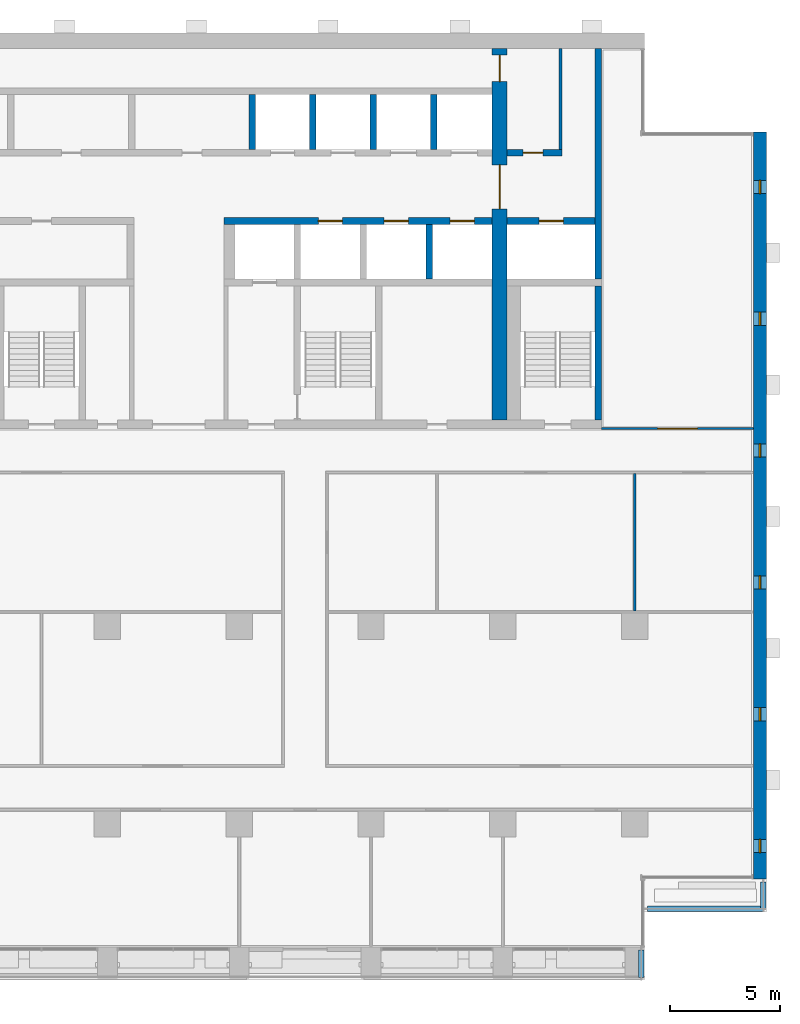
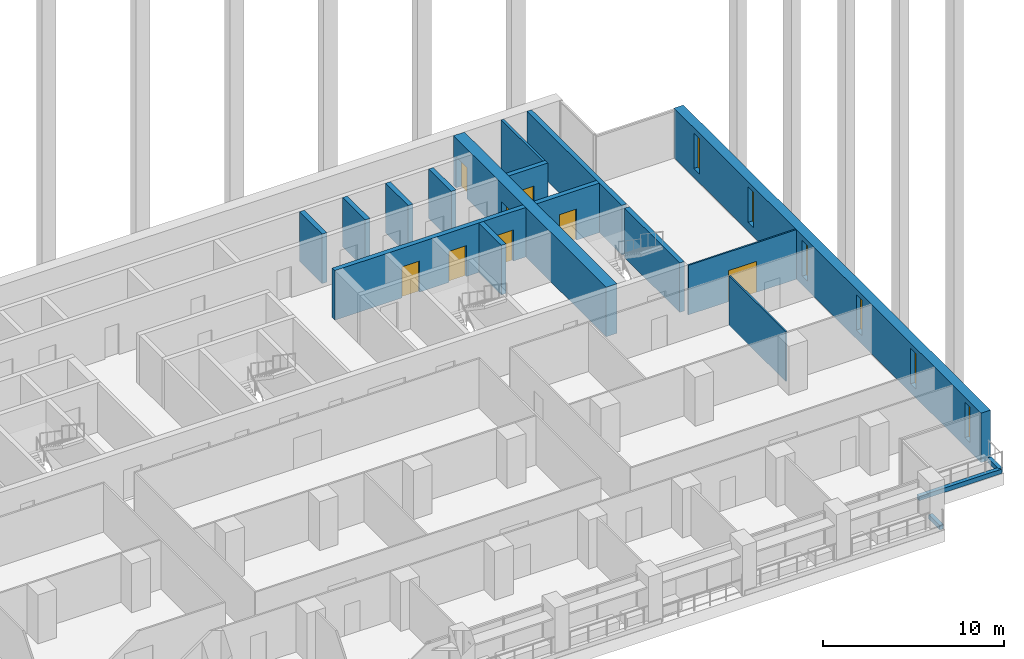
# One storey, part 12 of 19: 18 walls, 8 doors, 6 windows, 14 openings.
"""IFC4 building model written with IfcOpenShell, lengths in metres."""

import ifcopenshell
import ifcopenshell.guid

model = None  # the IFC model being written
_history = None  # IfcOwnerHistory: only IFC2X3 demands one
_inside = {}  # id of a spatial element -> (the spatial element, [elements in it])
_under = {}  # id of a project, library or spatial element -> (it, [spatial elements below it])
_declared = {}  # id of a project -> (the project, [libraries it declares])
_typed = {}  # id of a type object -> (the type object, [elements of that type])
_made_of = {}  # id of a material, layer set ... -> (it, [elements and type objects made of it])


def new_model(schema):
    """Start an empty IFC model of exactly this schema.

    Asked for "IFC4X3", IfcOpenShell would pick the latest addendum, in which some entities
    have other attributes; the version numbers below select the first issue.
    IFC2X3 requires an IfcOwnerHistory on every rooted entity: one is made here for all.
    """
    global model, _history
    if schema == "IFC4X3":
        model = ifcopenshell.file(schema_version=(4, 3, 0, 0))
    else:
        model = ifcopenshell.file(schema=schema)
    _inside.clear()
    _under.clear()
    _declared.clear()
    _typed.clear()
    _made_of.clear()
    _history = None
    if model.schema == "IFC2X3":
        org = make("IfcOrganization", Name="unknown")
        user = make(
            "IfcPersonAndOrganization",
            ThePerson=make("IfcPerson", FamilyName="unknown"),
            TheOrganization=org,
        )
        app = make(
            "IfcApplication",
            ApplicationDeveloper=org,
            Version="unknown",
            ApplicationFullName="unknown",
            ApplicationIdentifier="unknown",
        )
        _history = make(
            "IfcOwnerHistory",
            OwningUser=user,
            OwningApplication=app,
            ChangeAction="ADDED",
            CreationDate=0,
        )
    return model


def make(cls, **values):
    """One entity of the class cls with the attributes given. An attribute that is None is left unset."""
    return model.create_entity(
        cls, **{name: value for name, value in values.items() if value is not None}
    )


def rooted(cls, **values):
    """An entity with a GlobalId (a new one), such as an element, a storey or a relation."""
    return make(cls, GlobalId=ifcopenshell.guid.new(), OwnerHistory=_history, **values)


def si_unit(unit_type, name, prefix=None):
    """IfcSIUnit, for example si_unit("LENGTHUNIT", "METRE", prefix="MILLI")."""
    return make("IfcSIUnit", UnitType=unit_type, Prefix=prefix, Name=name)


def assignment(units):
    """IfcUnitAssignment: the units of a project."""
    return None if units is None else make("IfcUnitAssignment", Units=units)


def point(xyz):
    """IfcCartesianPoint."""
    return None if xyz is None else make("IfcCartesianPoint", Coordinates=xyz)


def direction(xyz):
    """IfcDirection."""
    return None if xyz is None else make("IfcDirection", DirectionRatios=xyz)


def frame(location, z_axis=None, x_axis=None):
    """IfcAxis2Placement3D, a coordinate frame: its origin and axes. An axis left out is left unset."""
    return make(
        "IfcAxis2Placement3D",
        Location=point(location),
        Axis=direction(z_axis),
        RefDirection=direction(x_axis),
    )


def frame_2d(location, x_axis=None):
    """IfcAxis2Placement2D, a coordinate frame in the plane: its origin and x axis."""
    return make(
        "IfcAxis2Placement2D", Location=point(location), RefDirection=direction(x_axis)
    )


def origin():
    """The frame at (0, 0, 0) with its axes left unset."""
    return frame((0.0, 0.0, 0.0))


def place(relative_to, where):
    """IfcLocalPlacement: puts the frame where relative to a parent placement (None: the world)."""
    return make(
        "IfcLocalPlacement", PlacementRelTo=relative_to, RelativePlacement=where
    )


def context(
    kind, dimensions, precision=None, world=None, true_north=None, identifier=None
):
    """IfcGeometricRepresentationContext, for example the 3D "Model" context."""
    return make(
        "IfcGeometricRepresentationContext",
        ContextIdentifier=identifier,
        ContextType=kind,
        CoordinateSpaceDimension=dimensions,
        Precision=precision,
        WorldCoordinateSystem=world,
        TrueNorth=true_north,
    )


def subcontext(parent, identifier, kind, view, scale=None):
    """IfcGeometricRepresentationSubContext, for example "Body" below "Model"."""
    return make(
        "IfcGeometricRepresentationSubContext",
        ContextIdentifier=identifier,
        ContextType=kind,
        ParentContext=parent,
        TargetScale=scale,
        TargetView=view,
    )


def project(units=None, contexts=None):
    """IfcProject with its units and contexts."""
    return rooted(
        "IfcProject",
        Name="project",
        RepresentationContexts=contexts,
        UnitsInContext=assignment(units),
    )


def spatial(cls, under=None, at=None, **own):
    """A site, building, storey or space (cls), placed at a placement, below another one or the project."""
    s = rooted(cls, ObjectPlacement=at, **own)
    if under is not None:
        _under.setdefault(under.id(), (under, []))[1].append(s)
    return s


def profile(cls, at=None, kind="AREA", **sizes):
    """A parametric profile (cls). Its sizes go by their IFC names, for example OverallWidth=200.0."""
    return make(cls, ProfileType=kind, Position=at, **sizes)


def rectangle(**sizes):
    """IfcRectangleProfileDef."""
    return profile("IfcRectangleProfileDef", **sizes)


def extrude(swept, where, along, depth):
    """IfcExtrudedAreaSolid: the profile swept, set in the frame where, extruded along a direction by depth."""
    return make(
        "IfcExtrudedAreaSolid",
        SweptArea=swept,
        Position=where,
        ExtrudedDirection=direction(along),
        Depth=depth,
    )


def shape(context_of_items, identifier, shape_type, items):
    """IfcShapeRepresentation: the items that make up one representation, for example the "Body"."""
    return make(
        "IfcShapeRepresentation",
        ContextOfItems=context_of_items,
        RepresentationIdentifier=identifier,
        RepresentationType=shape_type,
        Items=items,
    )


def material(Name=None, Category=None):
    """IfcMaterial."""
    return make("IfcMaterial", Name=Name, Category=Category)


def layer(
    of_material, thickness, ventilated=None, Name=None, Category=None, Priority=None
):
    """IfcMaterialLayer: one layer of a wall or slab, of a material (None: an air gap)."""
    return make(
        "IfcMaterialLayer",
        Material=of_material,
        LayerThickness=thickness,
        IsVentilated=ventilated,
        Name=Name,
        Category=Category,
        Priority=Priority,
    )


def layer_set(layers, Name=None):
    """IfcMaterialLayerSet."""
    return make("IfcMaterialLayerSet", MaterialLayers=layers, LayerSetName=Name)


def made_of(thing, what):
    """Note that an element or type object is made of a material, layer set ...; save() writes the relation."""
    if what is not None:
        _made_of.setdefault(what.id(), (what, []))[1].append(thing)
    return thing


def type_object(cls, material=None, **own):
    """A type object (cls), such as IfcWallType, which elements share."""
    return made_of(rooted(cls, **own), material)


def element(
    cls,
    number,
    at=None,
    inside=None,
    cuts=None,
    type_object=None,
    material=None,
    context=None,
    identifier="Body",
    shape_type=None,
    held_by="IfcProductDefinitionShape",
    body=None,
    shapes=None,
    **own,
):
    """One element of the class cls, such as IfcWall. Its Tag is "e" and its number.

    at: its placement. inside: the storey or other place that contains it. cuts: it is an
    opening in that element (IfcRelVoidsElement). A single representation is given by context,
    identifier, shape_type and body (its items); several are given by shapes. held_by: the class
    of the entity that holds the representations. save() writes the other relations.
    """
    e = rooted(cls, Tag="e%d" % number, ObjectPlacement=at, **own)
    if body is not None:
        shapes = [shape(context, identifier, shape_type, body)]
    if shapes is not None:
        e.Representation = make(held_by, Representations=shapes)
    if inside is not None:
        _inside.setdefault(inside.id(), (inside, []))[1].append(e)
    if cuts is not None:
        rooted(
            "IfcRelVoidsElement", RelatingBuildingElement=cuts, RelatedOpeningElement=e
        )
    if type_object is not None:
        _typed.setdefault(type_object.id(), (type_object, []))[1].append(e)
    return made_of(e, material)


def fill(opening, filler):
    """IfcRelFillsElement: the door or window that sits in an opening."""
    return rooted(
        "IfcRelFillsElement",
        RelatingOpeningElement=opening,
        RelatedBuildingElement=filler,
    )


def aggregate(whole, parts):
    """IfcRelAggregates: a whole, such as a stair, and the parts it consists of."""
    return rooted("IfcRelAggregates", RelatingObject=whole, RelatedObjects=parts)


def save(model, path):
    """Write the relations noted so far, then the file.

    IfcRelAggregates (storeys below a building ...), IfcRelContainedInSpatialStructure (elements
    in a storey), IfcRelDefinesByType, IfcRelAssociatesMaterial and IfcRelDeclares: one each for
    every whole, place, type object, material and project.
    """
    for whole, parts in _under.values():
        aggregate(whole, parts)
    for where, things in _inside.values():
        rooted(
            "IfcRelContainedInSpatialStructure",
            RelatedElements=things,
            RelatingStructure=where,
        )
    for kind, things in _typed.values():
        rooted("IfcRelDefinesByType", RelatedObjects=things, RelatingType=kind)
    for what, things in _made_of.values():
        rooted("IfcRelAssociatesMaterial", RelatedObjects=things, RelatingMaterial=what)
    for by, libraries in _declared.values():
        rooted("IfcRelDeclares", RelatingContext=by, RelatedDefinitions=libraries)
    model.write(path)


model = new_model("IFC4")

# Units and contexts
model_context = context("Model", 3, precision=1e-05, world=origin(), true_north=direction((0.0, 1.0)))
body_context = subcontext(model_context, "Body", "Model", "MODEL_VIEW")
ifc_project = project(units=[si_unit("LENGTHUNIT", "METRE"), si_unit("AREAUNIT", "SQUARE_METRE"), si_unit("VOLUMEUNIT", "CUBIC_METRE"), si_unit("PLANEANGLEUNIT", "RADIAN"), si_unit("MASSUNIT", "GRAM", prefix="KILO")], contexts=[model_context])

# Site, building, storey
site_placement = place(None, origin())
site = spatial("IfcSite", under=ifc_project, at=site_placement, CompositionType="ELEMENT")
building_placement = place(site_placement, origin())
building = spatial("IfcBuilding", under=site, at=building_placement, Name="Calvaro Tower", CompositionType="ELEMENT")
storey_placement = place(building_placement, frame((0.0, 0.0, 166.75)))
storey = spatial("IfcBuildingStorey", under=building, at=storey_placement, Name="L41", CompositionType="ELEMENT", Elevation=166.75)

# Wall
ifc_material_1 = material(Name="Blockwork partition", Category="masonry")
ifc_layer_1 = layer(ifc_material_1, 0.14990234375)
ifc_layer_set_1 = layer_set([ifc_layer_1], Name="Blockwork partition")
wall_type_1 = type_object("IfcWallType", Name="Core partition 150 REI 120", PredefinedType="PARTITIONING", material=ifc_layer_set_1)
wall_1_placement = place(storey_placement, frame((62.625, 40.699951171875, 0.0), z_axis=(0.0, 0.0, 1.0), x_axis=(0.0, 1.0, 0.0)))
element("IfcWall", 1, at=wall_1_placement, inside=storey, type_object=wall_type_1, Name="Core partition", PredefinedType="PARTITIONING", context=body_context, shape_type="SweptSolid", body=[
    extrude(rectangle(XDim=4.60009765625, YDim=0.14990234375, at=frame_2d((2.300048828125, 0.0))), origin(), (0.0, 0.0, 1.0), 3.35009765625),
])

# Wall, opening, door
ifc_material_2 = material(Name="Blockwork partition", Category="masonry")
ifc_layer_2 = layer(ifc_material_2, 0.300048828125)
ifc_layer_set_2 = layer_set([ifc_layer_2], Name="Blockwork partition")
wall_type_2 = type_object("IfcWallType", Name="Core partition 300 REI 120", PredefinedType="PARTITIONING", material=ifc_layer_set_2)
wall_2_placement = place(storey_placement, frame((60.199951171875, 40.550048828125, 0.0), z_axis=(0.0, 0.0, 1.0), x_axis=(1.0, 0.0, 0.0)))
wall_2 = element("IfcWall", 2, at=wall_2_placement, inside=storey, type_object=wall_type_2, Name="Core partition", PredefinedType="PARTITIONING", context=body_context, shape_type="SweptSolid", body=[
    extrude(rectangle(XDim=2.5, YDim=0.300048828125, at=frame_2d((1.25, 0.0))), origin(), (0.0, 0.0, 1.0), 3.35009765625),
])
opening_1_placement = place(wall_2_placement, frame((0.72509765625, 0.0, 0.0)))
opening_1 = element("IfcOpeningElement", 3, at=opening_1_placement, cuts=wall_2, Name="Opening RD9C", PredefinedType="OPENING", context=body_context, shape_type="SweptSolid", body=[
    extrude(rectangle(XDim=0.89990234375, YDim=2.10009765625, at=frame_2d((0.449951171875, 1.050048828125))), frame((0.0, 0.159912109375, 0.0), z_axis=(0.0, -1.0, 0.0), x_axis=(1.0, 0.0, 0.0)), (0.0, 0.0, 1.0), 0.320068359375),
])
ifc_material_3 = material(Name="Steel door set", Category="steel")
door_type_1 = type_object("IfcDoorType", Name="Room door 900 FD30", OperationType="SINGLE_SWING_LEFT", PredefinedType="DOOR", material=ifc_material_3)
door_1_placement = place(opening_1_placement, origin())
door_1 = element("IfcDoor", 4, at=door_1_placement, inside=storey, type_object=door_type_1, Name="Room door", OperationType="SINGLE_SWING_LEFT", OverallHeight=2.10009765625, OverallWidth=0.89990234375, PredefinedType="DOOR", context=body_context, shape_type="SweptSolid", body=[
    extrude(rectangle(XDim=0.89990234375, YDim=2.10009765625, at=frame_2d((0.449951171875, 1.050048828125))), frame((0.0, 0.02490234375, 0.0), z_axis=(0.0, -1.0, 0.0), x_axis=(1.0, 0.0, 0.0)), (0.0, 0.0, 1.0), 0.050048828125),
])
fill(opening_1, door_1)

# Walls
ifc_material_4 = material(Name="Concrete C50/60", Category="concrete")
ifc_layer_3 = layer(ifc_material_4, 0.300048828125)
ifc_layer_set_3 = layer_set([ifc_layer_3], Name="Concrete C50/60")
wall_type_3 = type_object("IfcWallType", Name="Core wall C50/60 300", PredefinedType="SHEAR", material=ifc_layer_set_3)
wall_3_placement = place(storey_placement, frame((64.35009765625, 34.800048828125, 0.0), z_axis=(0.0, 0.0, 1.0), x_axis=(0.0, 1.0, 0.0)))
element("IfcWall", 5, at=wall_3_placement, inside=storey, type_object=wall_type_3, Name="Core wall, boundary", PredefinedType="SHEAR", context=body_context, shape_type="SweptSolid", body=[
    extrude(rectangle(XDim=10.5, YDim=0.300048828125, at=frame_2d((5.25, 0.0))), origin(), (0.0, 0.0, 1.0), 3.35009765625),
])
wall_4_placement = place(storey_placement, frame((64.35009765625, 28.39990234375, 0.0), z_axis=(0.0, 0.0, 1.0), x_axis=(0.0, 1.0, 0.0)))
element("IfcWall", 6, at=wall_4_placement, inside=storey, type_object=wall_type_3, Name="Core wall, stair enclosure", PredefinedType="SHEAR", context=body_context, shape_type="SweptSolid", body=[
    extrude(rectangle(XDim=6.10009765625, YDim=0.300048828125, at=frame_2d((3.050048828125, 0.0))), origin(), (0.0, 0.0, 1.0), 3.35009765625),
])

# Wall, openings, doors
wall_5_placement = place(storey_placement, frame((47.300048828125, 37.449951171875, 0.0), z_axis=(0.0, 0.0, 1.0), x_axis=(1.0, 0.0, 0.0)))
wall_5 = element("IfcWall", 7, at=wall_5_placement, inside=storey, type_object=wall_type_3, Name="Core wall, lift shaft", PredefinedType="SHEAR", context=body_context, shape_type="SweptSolid", body=[
    extrude(rectangle(XDim=12.199951171875, YDim=0.300048828125, at=frame_2d((6.10009765625, 0.0))), origin(), (0.0, 0.0, 1.0), 3.35009765625),
])
opening_2_placement = place(wall_5_placement, frame((4.300048828125, 0.0, 0.0)))
opening_2 = element("IfcOpeningElement", 8, at=opening_2_placement, cuts=wall_5, Name="Opening HR1", PredefinedType="OPENING", context=body_context, shape_type="SweptSolid", body=[
    extrude(rectangle(XDim=1.10009765625, YDim=2.10009765625, at=frame_2d((0.550048828125, 1.050048828125))), frame((0.0, 0.159912109375, 0.0), z_axis=(0.0, -1.0, 0.0), x_axis=(1.0, 0.0, 0.0)), (0.0, 0.0, 1.0), 0.320068359375),
])
opening_3_placement = place(wall_5_placement, frame((7.300048828125, 0.0, 0.0)))
opening_3 = element("IfcOpeningElement", 9, at=opening_3_placement, cuts=wall_5, Name="Opening HR2", PredefinedType="OPENING", context=body_context, shape_type="SweptSolid", body=[
    extrude(rectangle(XDim=1.10009765625, YDim=2.10009765625, at=frame_2d((0.550048828125, 1.050048828125))), frame((0.0, 0.159912109375, 0.0), z_axis=(0.0, -1.0, 0.0), x_axis=(1.0, 0.0, 0.0)), (0.0, 0.0, 1.0), 0.320068359375),
])
opening_4_placement = place(wall_5_placement, frame((10.300048828125, 0.0, 0.0)))
opening_4 = element("IfcOpeningElement", 10, at=opening_4_placement, cuts=wall_5, Name="Opening HR3", PredefinedType="OPENING", context=body_context, shape_type="SweptSolid", body=[
    extrude(rectangle(XDim=1.10009765625, YDim=2.10009765625, at=frame_2d((0.550048828125, 1.050048828125))), frame((0.0, 0.159912109375, 0.0), z_axis=(0.0, -1.0, 0.0), x_axis=(1.0, 0.0, 0.0)), (0.0, 0.0, 1.0), 0.320068359375),
])
ifc_material_5 = material(Name="Stainless steel", Category="steel")
door_type_2 = type_object("IfcDoorType", Name="Landing door 1100 E 60", OperationType="SLIDING_TO_LEFT", PredefinedType="DOOR", material=ifc_material_5)
door_2_placement = place(opening_2_placement, origin())
door_2 = element("IfcDoor", 11, at=door_2_placement, inside=storey, type_object=door_type_2, Name="Landing door HR1", OperationType="SLIDING_TO_LEFT", OverallHeight=2.10009765625, OverallWidth=1.10009765625, PredefinedType="DOOR", context=body_context, shape_type="SweptSolid", body=[
    extrude(rectangle(XDim=1.10009765625, YDim=2.10009765625, at=frame_2d((0.550048828125, 1.050048828125))), frame((0.0, 0.02490234375, 0.0), z_axis=(0.0, -1.0, 0.0), x_axis=(1.0, 0.0, 0.0)), (0.0, 0.0, 1.0), 0.050048828125),
])
fill(opening_2, door_2)
door_3_placement = place(opening_3_placement, origin())
door_3 = element("IfcDoor", 12, at=door_3_placement, inside=storey, type_object=door_type_2, Name="Landing door HR2", OperationType="SLIDING_TO_LEFT", OverallHeight=2.10009765625, OverallWidth=1.10009765625, PredefinedType="DOOR", context=body_context, shape_type="SweptSolid", body=[
    extrude(rectangle(XDim=1.10009765625, YDim=2.10009765625, at=frame_2d((0.550048828125, 1.050048828125))), frame((0.0, 0.02490234375, 0.0), z_axis=(0.0, -1.0, 0.0), x_axis=(1.0, 0.0, 0.0)), (0.0, 0.0, 1.0), 0.050048828125),
])
fill(opening_3, door_3)
door_4_placement = place(opening_4_placement, origin())
door_4 = element("IfcDoor", 13, at=door_4_placement, inside=storey, type_object=door_type_2, Name="Landing door HR3", OperationType="SLIDING_TO_LEFT", OverallHeight=2.10009765625, OverallWidth=1.10009765625, PredefinedType="DOOR", context=body_context, shape_type="SweptSolid", body=[
    extrude(rectangle(XDim=1.10009765625, YDim=2.10009765625, at=frame_2d((0.550048828125, 1.050048828125))), frame((0.0, 0.02490234375, 0.0), z_axis=(0.0, -1.0, 0.0), x_axis=(1.0, 0.0, 0.0)), (0.0, 0.0, 1.0), 0.050048828125),
])
fill(opening_4, door_4)

# Wall, opening, door
wall_6_placement = place(storey_placement, frame((60.199951171875, 37.449951171875, 0.0), z_axis=(0.0, 0.0, 1.0), x_axis=(1.0, 0.0, 0.0)))
wall_6 = element("IfcWall", 14, at=wall_6_placement, inside=storey, type_object=wall_type_3, Name="Core wall, lift shaft", PredefinedType="SHEAR", context=body_context, shape_type="SweptSolid", body=[
    extrude(rectangle(XDim=4.0, YDim=0.300048828125, at=frame_2d((2.0, 0.0))), origin(), (0.0, 0.0, 1.0), 3.35009765625),
])
opening_5_placement = place(wall_6_placement, frame((1.449951171875, 0.0, 0.0)))
opening_5 = element("IfcOpeningElement", 15, at=opening_5_placement, cuts=wall_6, Name="Opening FF3", PredefinedType="OPENING", context=body_context, shape_type="SweptSolid", body=[
    extrude(rectangle(XDim=1.10009765625, YDim=2.10009765625, at=frame_2d((0.550048828125, 1.050048828125))), frame((0.0, 0.159912109375, 0.0), z_axis=(0.0, -1.0, 0.0), x_axis=(1.0, 0.0, 0.0)), (0.0, 0.0, 1.0), 0.320068359375),
])
door_5_placement = place(opening_5_placement, origin())
door_5 = element("IfcDoor", 16, at=door_5_placement, inside=storey, type_object=door_type_2, Name="Landing door FF3", OperationType="SLIDING_TO_LEFT", OverallHeight=2.10009765625, OverallWidth=1.10009765625, PredefinedType="DOOR", context=body_context, shape_type="SweptSolid", body=[
    extrude(rectangle(XDim=1.10009765625, YDim=2.10009765625, at=frame_2d((0.550048828125, 1.050048828125))), frame((0.0, 0.02490234375, 0.0), z_axis=(0.0, -1.0, 0.0), x_axis=(1.0, 0.0, 0.0)), (0.0, 0.0, 1.0), 0.050048828125),
])
fill(opening_5, door_5)

# Walls
for number, where, z_axis, x_axis, name in (
    (17, (56.64990234375, 34.800048828125, 0.0), (0.0, 0.0, 1.0), (0.0, 1.0, 0.0), "Core wall, lift shaft"),
    (18, (48.60009765625, 40.699951171875, 0.0), (0.0, 0.0, 1.0), (0.0, 1.0, 0.0), "Core wall, lift shaft"),
    (19, (51.35009765625, 40.699951171875, 0.0), (0.0, 0.0, 1.0), (0.0, 1.0, 0.0), "Core wall, lift shaft"),
    (20, (54.10009765625, 40.699951171875, 0.0), (0.0, 0.0, 1.0), (0.0, 1.0, 0.0), "Core wall, lift shaft"),
    (21, (56.85009765625, 40.699951171875, 0.0), (0.0, 0.0, 1.0), (0.0, 1.0, 0.0), "Core wall, lift shaft"),
):
    element("IfcWall", number, at=place(storey_placement, frame(where, z_axis=z_axis, x_axis=x_axis)), inside=storey, type_object=wall_type_3, Name=name, PredefinedType="SHEAR", context=body_context, shape_type="SweptSolid", body=[
        extrude(rectangle(XDim=2.5, YDim=0.300048828125, at=frame_2d((1.25, 0.0))), origin(), (0.0, 0.0, 1.0), 3.35009765625),
    ])

# Wall, openings, doors
ifc_material_6 = material(Name="Concrete C50/60", Category="concrete")
ifc_layer_4 = layer(ifc_material_6, 0.699951171875)
ifc_layer_set_4 = layer_set([ifc_layer_4], Name="Concrete C50/60")
wall_type_4 = type_object("IfcWallType", Name="Core wall C50/60 700", PredefinedType="SHEAR", material=ifc_layer_set_4)
wall_7_placement = place(storey_placement, frame((59.85009765625, 28.39990234375, 0.0), z_axis=(0.0, 0.0, 1.0), x_axis=(0.0, 1.0, 0.0)))
wall_7 = element("IfcWall", 22, at=wall_7_placement, inside=storey, type_object=wall_type_4, Name="Core wall, cross shear wall", PredefinedType="SHEAR", context=body_context, shape_type="SweptSolid", body=[
    extrude(rectangle(XDim=16.900146484375, YDim=0.699951171875, at=frame_2d((8.4501953125, 0.0))), origin(), (0.0, 0.0, 1.0), 3.35009765625),
])
opening_6_placement = place(wall_7_placement, frame((9.60009765625, 0.0, 0.0)))
opening_6 = element("IfcOpeningElement", 23, at=opening_6_placement, cuts=wall_7, Name="Opening DD20D", PredefinedType="OPENING", context=body_context, shape_type="SweptSolid", body=[
    extrude(rectangle(XDim=2.0, YDim=2.10009765625, at=frame_2d((1.0, 1.050048828125))), frame((0.0, 0.35986328125, 0.0), z_axis=(0.0, -1.0, 0.0), x_axis=(1.0, 0.0, 0.0)), (0.0, 0.0, 1.0), 0.719970703125),
])
opening_7_placement = place(wall_7_placement, frame((15.39990234375, 0.0, 0.0)))
opening_7 = element("IfcOpeningElement", 24, at=opening_7_placement, cuts=wall_7, Name="Opening FD12C", PredefinedType="OPENING", context=body_context, shape_type="SweptSolid", body=[
    extrude(rectangle(XDim=1.199951171875, YDim=2.10009765625, at=frame_2d((0.60009765625, 1.050048828125))), frame((0.0, 0.35986328125, 0.0), z_axis=(0.0, -1.0, 0.0), x_axis=(1.0, 0.0, 0.0)), (0.0, 0.0, 1.0), 0.719970703125),
])
ifc_material_7 = material(Name="Steel door set", Category="steel")
door_type_3 = type_object("IfcDoorType", Name="Fire door 1200 FD30", OperationType="SINGLE_SWING_LEFT", PredefinedType="DOOR", material=ifc_material_7)
door_6_placement = place(opening_7_placement, origin())
door_6 = element("IfcDoor", 25, at=door_6_placement, inside=storey, type_object=door_type_3, Name="Fire door", OperationType="SINGLE_SWING_LEFT", OverallHeight=2.10009765625, OverallWidth=1.199951171875, PredefinedType="DOOR", context=body_context, shape_type="SweptSolid", body=[
    extrude(rectangle(XDim=1.199951171875, YDim=2.10009765625, at=frame_2d((0.60009765625, 1.050048828125))), frame((0.0, 0.02490234375, 0.0), z_axis=(0.0, -1.0, 0.0), x_axis=(1.0, 0.0, 0.0)), (0.0, 0.0, 1.0), 0.050048828125),
])
fill(opening_7, door_6)
ifc_material_8 = material(Name="Steel door set", Category="steel")
door_type_4 = type_object("IfcDoorType", Name="Lobby double door 2000 FD30S", OperationType="DOUBLE_DOOR_SINGLE_SWING", PredefinedType="DOOR", material=ifc_material_8)
door_7_placement = place(opening_6_placement, origin())
door_7 = element("IfcDoor", 26, at=door_7_placement, inside=storey, type_object=door_type_4, Name="Lobby double door", OperationType="DOUBLE_DOOR_SINGLE_SWING", OverallHeight=2.10009765625, OverallWidth=2.0, PredefinedType="DOOR", context=body_context, shape_type="SweptSolid", body=[
    extrude(rectangle(XDim=2.0, YDim=2.10009765625, at=frame_2d((1.0, 1.050048828125))), frame((0.0, 0.02490234375, 0.0), z_axis=(0.0, -1.0, 0.0), x_axis=(1.0, 0.0, 0.0)), (0.0, 0.0, 1.0), 0.050048828125),
])
fill(opening_6, door_7)

# Wall, openings, windows
ifc_material_9 = material(Name="Concrete C50/60", Category="concrete")
ifc_layer_5 = layer(ifc_material_9, 0.60009765625)
ifc_layer_set_5 = layer_set([ifc_layer_5], Name="Concrete C50/60")
wall_type_5 = type_object("IfcWallType", Name="End wall 600 C50/60", PredefinedType="SHEAR", material=ifc_layer_set_5)
wall_8_placement = place(storey_placement, frame((71.699951171875, 7.5, 0.0), z_axis=(0.0, 0.0, 1.0), x_axis=(0.0, 1.0, 0.0)))
wall_8 = element("IfcWall", 27, at=wall_8_placement, inside=storey, type_object=wall_type_5, Name="End shear wall", PredefinedType="SHEAR", context=body_context, shape_type="SweptSolid", body=[
    extrude(rectangle(XDim=34.0, YDim=0.60009765625, at=frame_2d((17.0, 0.0))), origin(), (0.0, 0.0, 1.0), 3.35009765625),
])
opening_8_placement = place(wall_8_placement, frame((1.199951171875, 0.0, 0.60009765625)))
opening_8 = element("IfcOpeningElement", 28, at=opening_8_placement, cuts=wall_8, Name="Opening WE01", PredefinedType="OPENING", context=body_context, shape_type="SweptSolid", body=[
    extrude(rectangle(XDim=0.60009765625, YDim=2.39990234375, at=frame_2d((0.300048828125, 1.199951171875))), frame((0.0, 0.31005859375, 0.0), z_axis=(0.0, -1.0, 0.0), x_axis=(1.0, 0.0, 0.0)), (0.0, 0.0, 1.0), 0.6201171875),
])
opening_9_placement = place(wall_8_placement, frame((7.199951171875, 0.0, 0.60009765625)))
opening_9 = element("IfcOpeningElement", 29, at=opening_9_placement, cuts=wall_8, Name="Opening WE02", PredefinedType="OPENING", context=body_context, shape_type="SweptSolid", body=[
    extrude(rectangle(XDim=0.60009765625, YDim=2.39990234375, at=frame_2d((0.300048828125, 1.199951171875))), frame((0.0, 0.31005859375, 0.0), z_axis=(0.0, -1.0, 0.0), x_axis=(1.0, 0.0, 0.0)), (0.0, 0.0, 1.0), 0.6201171875),
])
opening_10_placement = place(wall_8_placement, frame((13.199951171875, 0.0, 0.60009765625)))
opening_10 = element("IfcOpeningElement", 30, at=opening_10_placement, cuts=wall_8, Name="Opening WE03", PredefinedType="OPENING", context=body_context, shape_type="SweptSolid", body=[
    extrude(rectangle(XDim=0.60009765625, YDim=2.39990234375, at=frame_2d((0.300048828125, 1.199951171875))), frame((0.0, 0.31005859375, 0.0), z_axis=(0.0, -1.0, 0.0), x_axis=(1.0, 0.0, 0.0)), (0.0, 0.0, 1.0), 0.6201171875),
])
opening_11_placement = place(wall_8_placement, frame((19.199951171875, 0.0, 0.60009765625)))
opening_11 = element("IfcOpeningElement", 31, at=opening_11_placement, cuts=wall_8, Name="Opening WE04", PredefinedType="OPENING", context=body_context, shape_type="SweptSolid", body=[
    extrude(rectangle(XDim=0.60009765625, YDim=2.39990234375, at=frame_2d((0.300048828125, 1.199951171875))), frame((0.0, 0.31005859375, 0.0), z_axis=(0.0, -1.0, 0.0), x_axis=(1.0, 0.0, 0.0)), (0.0, 0.0, 1.0), 0.6201171875),
])
opening_12_placement = place(wall_8_placement, frame((25.199951171875, 0.0, 0.60009765625)))
opening_12 = element("IfcOpeningElement", 32, at=opening_12_placement, cuts=wall_8, Name="Opening WE05", PredefinedType="OPENING", context=body_context, shape_type="SweptSolid", body=[
    extrude(rectangle(XDim=0.60009765625, YDim=2.39990234375, at=frame_2d((0.300048828125, 1.199951171875))), frame((0.0, 0.31005859375, 0.0), z_axis=(0.0, -1.0, 0.0), x_axis=(1.0, 0.0, 0.0)), (0.0, 0.0, 1.0), 0.6201171875),
])
opening_13_placement = place(wall_8_placement, frame((31.199951171875, 0.0, 0.60009765625)))
opening_13 = element("IfcOpeningElement", 33, at=opening_13_placement, cuts=wall_8, Name="Opening WE06", PredefinedType="OPENING", context=body_context, shape_type="SweptSolid", body=[
    extrude(rectangle(XDim=0.60009765625, YDim=2.39990234375, at=frame_2d((0.300048828125, 1.199951171875))), frame((0.0, 0.31005859375, 0.0), z_axis=(0.0, -1.0, 0.0), x_axis=(1.0, 0.0, 0.0)), (0.0, 0.0, 1.0), 0.6201171875),
])
ifc_material_10 = material(Name="Glass", Category="glass")
window_type = type_object("IfcWindowType", Name="Slit window 600 x 2400", PartitioningType="SINGLE_PANEL", PredefinedType="WINDOW", material=ifc_material_10)
window_1_placement = place(opening_8_placement, origin())
window_1 = element("IfcWindow", 34, at=window_1_placement, inside=storey, type_object=window_type, Name="Window WE01", OverallHeight=2.39990234375, OverallWidth=0.60009765625, PartitioningType="SINGLE_PANEL", PredefinedType="WINDOW", context=body_context, shape_type="SweptSolid", body=[
    extrude(rectangle(XDim=0.60009765625, YDim=2.39990234375, at=frame_2d((0.300048828125, 1.199951171875))), frame((0.0, 0.030029296875, 0.0), z_axis=(0.0, -1.0, 0.0), x_axis=(1.0, 0.0, 0.0)), (0.0, 0.0, 1.0), 0.06005859375),
])
fill(opening_8, window_1)
window_2_placement = place(opening_9_placement, origin())
window_2 = element("IfcWindow", 35, at=window_2_placement, inside=storey, type_object=window_type, Name="Window WE02", OverallHeight=2.39990234375, OverallWidth=0.60009765625, PartitioningType="SINGLE_PANEL", PredefinedType="WINDOW", context=body_context, shape_type="SweptSolid", body=[
    extrude(rectangle(XDim=0.60009765625, YDim=2.39990234375, at=frame_2d((0.300048828125, 1.199951171875))), frame((0.0, 0.030029296875, 0.0), z_axis=(0.0, -1.0, 0.0), x_axis=(1.0, 0.0, 0.0)), (0.0, 0.0, 1.0), 0.06005859375),
])
fill(opening_9, window_2)
window_3_placement = place(opening_10_placement, origin())
window_3 = element("IfcWindow", 36, at=window_3_placement, inside=storey, type_object=window_type, Name="Window WE03", OverallHeight=2.39990234375, OverallWidth=0.60009765625, PartitioningType="SINGLE_PANEL", PredefinedType="WINDOW", context=body_context, shape_type="SweptSolid", body=[
    extrude(rectangle(XDim=0.60009765625, YDim=2.39990234375, at=frame_2d((0.300048828125, 1.199951171875))), frame((0.0, 0.030029296875, 0.0), z_axis=(0.0, -1.0, 0.0), x_axis=(1.0, 0.0, 0.0)), (0.0, 0.0, 1.0), 0.06005859375),
])
fill(opening_10, window_3)
window_4_placement = place(opening_11_placement, origin())
window_4 = element("IfcWindow", 37, at=window_4_placement, inside=storey, type_object=window_type, Name="Window WE04", OverallHeight=2.39990234375, OverallWidth=0.60009765625, PartitioningType="SINGLE_PANEL", PredefinedType="WINDOW", context=body_context, shape_type="SweptSolid", body=[
    extrude(rectangle(XDim=0.60009765625, YDim=2.39990234375, at=frame_2d((0.300048828125, 1.199951171875))), frame((0.0, 0.030029296875, 0.0), z_axis=(0.0, -1.0, 0.0), x_axis=(1.0, 0.0, 0.0)), (0.0, 0.0, 1.0), 0.06005859375),
])
fill(opening_11, window_4)
window_5_placement = place(opening_12_placement, origin())
window_5 = element("IfcWindow", 38, at=window_5_placement, inside=storey, type_object=window_type, Name="Window WE05", OverallHeight=2.39990234375, OverallWidth=0.60009765625, PartitioningType="SINGLE_PANEL", PredefinedType="WINDOW", context=body_context, shape_type="SweptSolid", body=[
    extrude(rectangle(XDim=0.60009765625, YDim=2.39990234375, at=frame_2d((0.300048828125, 1.199951171875))), frame((0.0, 0.030029296875, 0.0), z_axis=(0.0, -1.0, 0.0), x_axis=(1.0, 0.0, 0.0)), (0.0, 0.0, 1.0), 0.06005859375),
])
fill(opening_12, window_5)
window_6_placement = place(opening_13_placement, origin())
window_6 = element("IfcWindow", 39, at=window_6_placement, inside=storey, type_object=window_type, Name="Window WE06", OverallHeight=2.39990234375, OverallWidth=0.60009765625, PartitioningType="SINGLE_PANEL", PredefinedType="WINDOW", context=body_context, shape_type="SweptSolid", body=[
    extrude(rectangle(XDim=0.60009765625, YDim=2.39990234375, at=frame_2d((0.300048828125, 1.199951171875))), frame((0.0, 0.030029296875, 0.0), z_axis=(0.0, -1.0, 0.0), x_axis=(1.0, 0.0, 0.0)), (0.0, 0.0, 1.0), 0.06005859375),
])
fill(opening_13, window_6)

# Wall, opening, door
ifc_material_11 = material(Name="Plasterboard on steel studs", Category="steel")
ifc_layer_6 = layer(ifc_material_11, 0.10009765625)
ifc_layer_set_6 = layer_set([ifc_layer_6], Name="Plasterboard on steel studs")
wall_type_6 = type_object("IfcWallType", Name="Partition 100", PredefinedType="PARTITIONING", material=ifc_layer_set_6)
wall_9_placement = place(storey_placement, frame((64.5, 28.0, 0.0), z_axis=(0.0, 0.0, 1.0), x_axis=(1.0, 0.0, 0.0)))
wall_9 = element("IfcWall", 40, at=wall_9_placement, inside=storey, type_object=wall_type_6, Name="Partition T42.W011", PredefinedType="PARTITIONING", context=body_context, shape_type="SweptSolid", body=[
    extrude(rectangle(XDim=6.89990234375, YDim=0.10009765625, at=frame_2d((3.449951171875, 0.0))), origin(), (0.0, 0.0, 1.0), 3.35009765625),
])
opening_14_placement = place(wall_9_placement, frame((2.550048828125, 0.0, 0.0)))
opening_14 = element("IfcOpeningElement", 41, at=opening_14_placement, cuts=wall_9, Name="Opening T42.019", PredefinedType="OPENING", context=body_context, shape_type="SweptSolid", body=[
    extrude(rectangle(XDim=1.800048828125, YDim=2.10009765625, at=frame_2d((0.89990234375, 1.050048828125))), frame((0.0, 0.06005859375, 0.0), z_axis=(0.0, -1.0, 0.0), x_axis=(1.0, 0.0, 0.0)), (0.0, 0.0, 1.0), 0.1201171875),
])
ifc_material_12 = material(Name="Timber", Category="wood")
door_type_5 = type_object("IfcDoorType", Name="Internal double door 1800 x 2100", OperationType="DOUBLE_DOOR_SINGLE_SWING", PredefinedType="DOOR", material=ifc_material_12)
door_8_placement = place(opening_14_placement, origin())
door_8 = element("IfcDoor", 42, at=door_8_placement, inside=storey, type_object=door_type_5, Name="Door T42.019", OperationType="DOUBLE_DOOR_SINGLE_SWING", OverallHeight=2.10009765625, OverallWidth=1.800048828125, PredefinedType="DOOR", context=body_context, shape_type="SweptSolid", body=[
    extrude(rectangle(XDim=1.800048828125, YDim=2.10009765625, at=frame_2d((0.89990234375, 1.050048828125))), frame((0.0, 0.02490234375, 0.0), z_axis=(0.0, -1.0, 0.0), x_axis=(1.0, 0.0, 0.0)), (0.0, 0.0, 1.0), 0.050048828125),
])
fill(opening_14, door_8)

# Walls
wall_10_placement = place(storey_placement, frame((66.0, 19.699951171875, 0.0), z_axis=(0.0, 0.0, 1.0), x_axis=(0.0, 1.0, 0.0)))
element("IfcWall", 43, at=wall_10_placement, inside=storey, type_object=wall_type_6, Name="Partition T42.W027", PredefinedType="PARTITIONING", context=body_context, shape_type="SweptSolid", body=[
    extrude(rectangle(XDim=6.25, YDim=0.10009765625, at=frame_2d((3.125, 0.0))), origin(), (0.0, 0.0, 1.0), 3.35009765625),
])
ifc_material_13 = material(Name="Concrete C40/50", Category="concrete")
ifc_layer_7 = layer(ifc_material_13, 0.199951171875, Name="Structure")
ifc_material_14 = material(Name="Reconstituted stone coping")
ifc_layer_8 = layer(ifc_material_14, 0.050048828125, Name="Finish")
ifc_layer_set_7 = layer_set([ifc_layer_7, ifc_layer_8], Name="Concrete C40/50")
wall_type_7 = type_object("IfcWallType", Name="Terrace edge kerb 250", PredefinedType="PARAPET", material=ifc_layer_set_7)
wall_11_placement = place(storey_placement, frame((71.85009765625, 7.35498046875, 0.0), z_axis=(0.0, 0.0, 1.0), x_axis=(0.0, -1.0, 0.0)))
element("IfcWall", 44, at=wall_11_placement, inside=storey, type_object=wall_type_7, Name="Terrace edge kerb", PredefinedType="PARAPET", context=body_context, shape_type="SweptSolid", body=[
    extrude(rectangle(XDim=1.22998046875, YDim=0.25, at=frame_2d((0.614990234375, 0.0))), origin(), (0.0, 0.0, 1.0), 0.300048828125),
])
wall_12_placement = place(storey_placement, frame((71.875, 6.14990234375, 0.0), z_axis=(0.0, 0.0, 1.0), x_axis=(-1.0, 0.0, 0.0)))
element("IfcWall", 45, at=wall_12_placement, inside=storey, type_object=wall_type_7, Name="Terrace edge kerb", PredefinedType="PARAPET", context=body_context, shape_type="SweptSolid", body=[
    extrude(rectangle(XDim=5.280029296875, YDim=0.25, at=frame_2d((2.64013671875, 0.0))), origin(), (0.0, 0.0, 1.0), 0.300048828125),
])
wall_13_placement = place(storey_placement, frame((66.300048828125, 4.2548828125, 0.0), z_axis=(0.0, 0.0, 1.0), x_axis=(0.0, -1.0, 0.0)))
element("IfcWall", 46, at=wall_13_placement, inside=storey, type_object=wall_type_7, Name="Terrace edge kerb", PredefinedType="PARAPET", context=body_context, shape_type="SweptSolid", body=[
    extrude(rectangle(XDim=1.22998046875, YDim=0.25, at=frame_2d((0.614990234375, 0.0))), origin(), (0.0, 0.0, 1.0), 0.300048828125),
])

save(model, "model.ifc")
